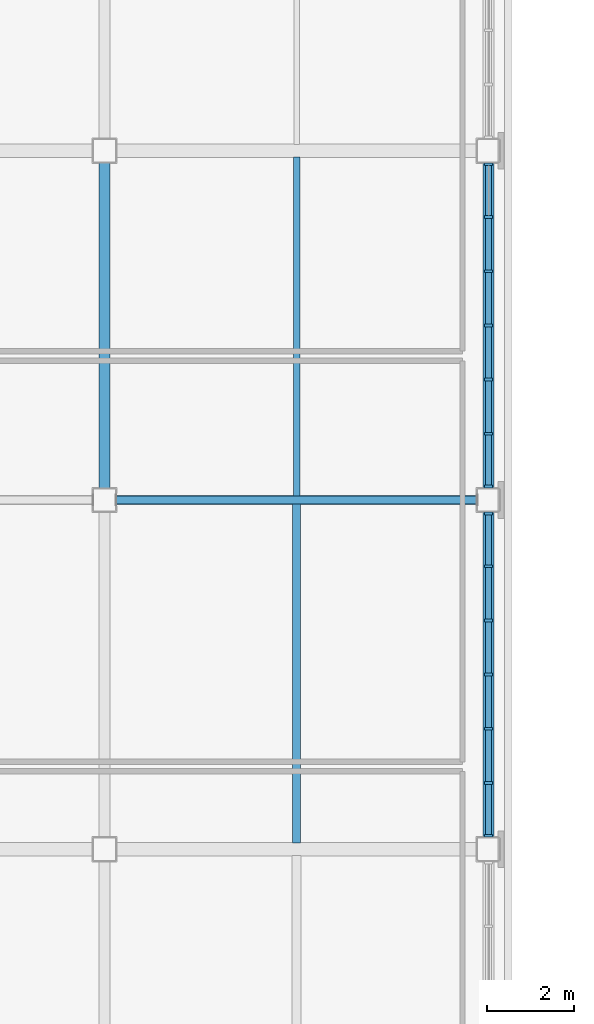
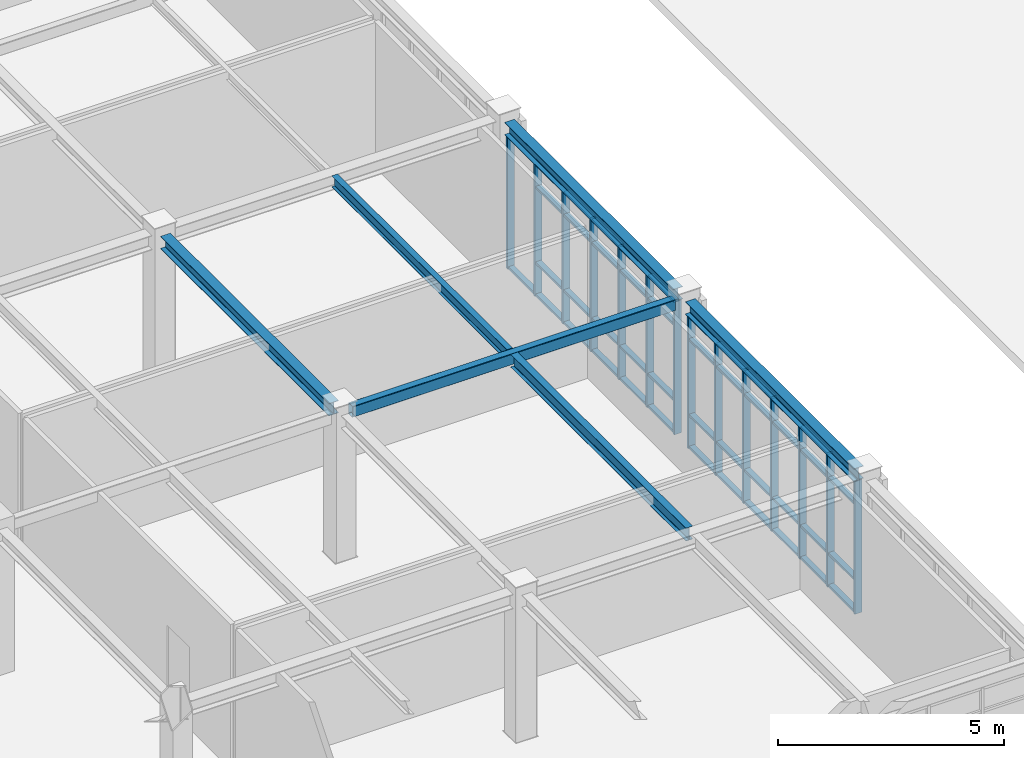
# One storey, part 22 of 88: 59 members, 6 beams, 2 elements without a shape of their own.
"""IFC4 building model written with IfcOpenShell, lengths in metres."""

from ifc_helpers import new_model, si_unit, direction, frame, origin, origin_2d, place, context, subcontext, project, spatial, rectangle, hollow_rectangle, i_section, extrude, material, material_profile, profile_set, type_object, element, aggregate, save


model = new_model("IFC4")

# Units and contexts
model_context = context("Model", 3, precision=1e-05, world=origin(), true_north=direction((0.0, 1.0)))
body_context = subcontext(model_context, "Body", "Model", "MODEL_VIEW")
ifc_project = project(units=[si_unit("LENGTHUNIT", "METRE"), si_unit("AREAUNIT", "SQUARE_METRE"), si_unit("VOLUMEUNIT", "CUBIC_METRE"), si_unit("PLANEANGLEUNIT", "RADIAN"), si_unit("MASSUNIT", "GRAM", prefix="KILO")], contexts=[model_context])

# Site, building, storey
site_placement = place(None, origin())
site = spatial("IfcSite", under=ifc_project, at=site_placement, CompositionType="ELEMENT")
building_placement = place(site_placement, origin())
building = spatial("IfcBuilding", under=site, at=building_placement, Name="Zhaolan Boulevard Law Courts", CompositionType="ELEMENT")
storey_placement = place(building_placement, frame((0.0, 0.0, 16.199951171875)))
storey = spatial("IfcBuildingStorey", under=building, at=storey_placement, Name="L03", CompositionType="ELEMENT", Elevation=16.199951171875)

# Curtain wall, members
ifc_material_1 = material(Name="Thermally broken aluminium and low-E glazing", Category="aluminium")
curtain_wall_type_1 = type_object("IfcCurtainWallType", Name="CURTAIN WALL M12", PredefinedType="USERDEFINED", material=ifc_material_1)
curtain_wall_1_placement = place(storey_placement, origin())
curtain_wall_1 = element("IfcCurtainWall", 1, at=curtain_wall_1_placement, inside=storey, type_object=curtain_wall_type_1, Name="Curtain Wall CW-L03-180", ObjectType="CURTAIN WALL", PredefinedType="USERDEFINED")
ifc_material_2 = material(Name="Fluorocarbon-coated aluminium 6063-T6", Category="aluminium")
ifc_material_profile_1 = material_profile(ifc_material_2, rectangle(XDim=0.179931640625, YDim=0.06494140625, at=origin_2d()), Name="AL65x180")
ifc_profile_set_1 = profile_set([ifc_material_profile_1], Name="Fluorocarbon-coated aluminium 6063-T6")
member_type_1 = type_object("IfcMemberType", Name="CWMULLION 65X180", PredefinedType="MULLION", material=ifc_profile_set_1)
member_1_placement = place(storey_placement, frame((44.0, 38.3095703125, 0.0), z_axis=(0.0, 0.0, 1.0), x_axis=(-1.0, 0.0, 0.0)))
member_1 = element("IfcMember", 2, at=member_1_placement, type_object=member_type_1, Name="CW-L03-180 mullion 1", PredefinedType="MULLION", context=body_context, shape_type="SweptSolid", body=[
    extrude(rectangle(XDim=0.179931640625, YDim=0.06494140625, at=origin_2d()), origin(), (0.0, 0.0, 1.0), 3.593017578125),
])
member_2_placement = place(storey_placement, frame((44.0, 39.51806640625, 0.0), z_axis=(0.0, 0.0, 1.0), x_axis=(-1.0, 0.0, 0.0)))
member_2 = element("IfcMember", 3, at=member_2_placement, type_object=member_type_1, Name="CW-L03-180 mullion 2", PredefinedType="MULLION", context=body_context, shape_type="SweptSolid", body=[
    extrude(rectangle(XDim=0.179931640625, YDim=0.06494140625, at=origin_2d()), origin(), (0.0, 0.0, 1.0), 3.593017578125),
])
member_3_placement = place(storey_placement, frame((44.0, 40.759033203125, 0.0), z_axis=(0.0, 0.0, 1.0), x_axis=(-1.0, 0.0, 0.0)))
member_3 = element("IfcMember", 4, at=member_3_placement, type_object=member_type_1, Name="CW-L03-180 mullion 3", PredefinedType="MULLION", context=body_context, shape_type="SweptSolid", body=[
    extrude(rectangle(XDim=0.179931640625, YDim=0.06494140625, at=origin_2d()), origin(), (0.0, 0.0, 1.0), 3.593017578125),
])
member_4_placement = place(storey_placement, frame((44.0, 42.0, 0.0), z_axis=(0.0, 0.0, 1.0), x_axis=(-1.0, 0.0, 0.0)))
member_4 = element("IfcMember", 5, at=member_4_placement, type_object=member_type_1, Name="CW-L03-180 mullion 4", PredefinedType="MULLION", context=body_context, shape_type="SweptSolid", body=[
    extrude(rectangle(XDim=0.179931640625, YDim=0.06494140625, at=origin_2d()), origin(), (0.0, 0.0, 1.0), 3.593017578125),
])
member_5_placement = place(storey_placement, frame((44.0, 43.240966796875, 0.0), z_axis=(0.0, 0.0, 1.0), x_axis=(-1.0, 0.0, 0.0)))
member_5 = element("IfcMember", 6, at=member_5_placement, type_object=member_type_1, Name="CW-L03-180 mullion 5", PredefinedType="MULLION", context=body_context, shape_type="SweptSolid", body=[
    extrude(rectangle(XDim=0.179931640625, YDim=0.06494140625, at=origin_2d()), origin(), (0.0, 0.0, 1.0), 3.593017578125),
])
member_6_placement = place(storey_placement, frame((44.0, 44.48193359375, 0.0), z_axis=(0.0, 0.0, 1.0), x_axis=(-1.0, 0.0, 0.0)))
member_6 = element("IfcMember", 7, at=member_6_placement, type_object=member_type_1, Name="CW-L03-180 mullion 6", PredefinedType="MULLION", context=body_context, shape_type="SweptSolid", body=[
    extrude(rectangle(XDim=0.179931640625, YDim=0.06494140625, at=origin_2d()), origin(), (0.0, 0.0, 1.0), 3.593017578125),
])
member_7_placement = place(storey_placement, frame((44.0, 45.6904296875, 0.0), z_axis=(0.0, 0.0, 1.0), x_axis=(-1.0, 0.0, 0.0)))
member_7 = element("IfcMember", 8, at=member_7_placement, type_object=member_type_1, Name="CW-L03-180 mullion 7", PredefinedType="MULLION", context=body_context, shape_type="SweptSolid", body=[
    extrude(rectangle(XDim=0.179931640625, YDim=0.06494140625, at=origin_2d()), origin(), (0.0, 0.0, 1.0), 3.593017578125),
])

ifc_material_3 = material(Name="Thermally broken aluminium and low-E glazing", Category="aluminium")
curtain_wall_type_2 = type_object("IfcCurtainWallType", Name="CURTAIN WALL M13", PredefinedType="USERDEFINED", material=ifc_material_3)
curtain_wall_2_placement = place(storey_placement, origin())
curtain_wall_2 = element("IfcCurtainWall", 9, at=curtain_wall_2_placement, inside=storey, type_object=curtain_wall_type_2, Name="Curtain Wall CW-L03-181", ObjectType="CURTAIN WALL", PredefinedType="USERDEFINED")
member_8_placement = place(storey_placement, frame((44.0, 46.3095703125, 0.0), z_axis=(0.0, 0.0, 1.0), x_axis=(-1.0, 0.0, 0.0)))
member_8 = element("IfcMember", 10, at=member_8_placement, type_object=member_type_1, Name="CW-L03-181 mullion 1", PredefinedType="MULLION", context=body_context, shape_type="SweptSolid", body=[
    extrude(rectangle(XDim=0.179931640625, YDim=0.06494140625, at=origin_2d()), origin(), (0.0, 0.0, 1.0), 3.593017578125),
])
member_9_placement = place(storey_placement, frame((44.0, 47.51806640625, 0.0), z_axis=(0.0, 0.0, 1.0), x_axis=(-1.0, 0.0, 0.0)))
member_9 = element("IfcMember", 11, at=member_9_placement, type_object=member_type_1, Name="CW-L03-181 mullion 2", PredefinedType="MULLION", context=body_context, shape_type="SweptSolid", body=[
    extrude(rectangle(XDim=0.179931640625, YDim=0.06494140625, at=origin_2d()), origin(), (0.0, 0.0, 1.0), 3.593017578125),
])
member_10_placement = place(storey_placement, frame((44.0, 48.759033203125, 0.0), z_axis=(0.0, 0.0, 1.0), x_axis=(-1.0, 0.0, 0.0)))
member_10 = element("IfcMember", 12, at=member_10_placement, type_object=member_type_1, Name="CW-L03-181 mullion 3", PredefinedType="MULLION", context=body_context, shape_type="SweptSolid", body=[
    extrude(rectangle(XDim=0.179931640625, YDim=0.06494140625, at=origin_2d()), origin(), (0.0, 0.0, 1.0), 3.593017578125),
])
member_11_placement = place(storey_placement, frame((44.0, 50.0, 0.0), z_axis=(0.0, 0.0, 1.0), x_axis=(-1.0, 0.0, 0.0)))
member_11 = element("IfcMember", 13, at=member_11_placement, type_object=member_type_1, Name="CW-L03-181 mullion 4", PredefinedType="MULLION", context=body_context, shape_type="SweptSolid", body=[
    extrude(rectangle(XDim=0.179931640625, YDim=0.06494140625, at=origin_2d()), origin(), (0.0, 0.0, 1.0), 3.593017578125),
])
member_12_placement = place(storey_placement, frame((44.0, 51.240966796875, 0.0), z_axis=(0.0, 0.0, 1.0), x_axis=(-1.0, 0.0, 0.0)))
member_12 = element("IfcMember", 14, at=member_12_placement, type_object=member_type_1, Name="CW-L03-181 mullion 5", PredefinedType="MULLION", context=body_context, shape_type="SweptSolid", body=[
    extrude(rectangle(XDim=0.179931640625, YDim=0.06494140625, at=origin_2d()), origin(), (0.0, 0.0, 1.0), 3.593017578125),
])
member_13_placement = place(storey_placement, frame((44.0, 52.48193359375, 0.0), z_axis=(0.0, 0.0, 1.0), x_axis=(-1.0, 0.0, 0.0)))
member_13 = element("IfcMember", 15, at=member_13_placement, type_object=member_type_1, Name="CW-L03-181 mullion 6", PredefinedType="MULLION", context=body_context, shape_type="SweptSolid", body=[
    extrude(rectangle(XDim=0.179931640625, YDim=0.06494140625, at=origin_2d()), origin(), (0.0, 0.0, 1.0), 3.593017578125),
])
member_14_placement = place(storey_placement, frame((44.0, 53.6904296875, 0.0), z_axis=(0.0, 0.0, 1.0), x_axis=(-1.0, 0.0, 0.0)))
member_14 = element("IfcMember", 16, at=member_14_placement, type_object=member_type_1, Name="CW-L03-181 mullion 7", PredefinedType="MULLION", context=body_context, shape_type="SweptSolid", body=[
    extrude(rectangle(XDim=0.179931640625, YDim=0.06494140625, at=origin_2d()), origin(), (0.0, 0.0, 1.0), 3.593017578125),
])

# Member
ifc_material_4 = material(Name="Fluorocarbon-coated aluminium 6063-T6", Category="aluminium")
ifc_material_profile_2 = material_profile(ifc_material_4, rectangle(XDim=0.139892578125, YDim=0.06494140625, at=origin_2d()), Name="AL65x140")
ifc_profile_set_2 = profile_set([ifc_material_profile_2], Name="Fluorocarbon-coated aluminium 6063-T6")
member_type_2 = type_object("IfcMemberType", Name="CWTRANSOM 65X140", PredefinedType="USERDEFINED", material=ifc_profile_set_2)
member_15_placement = place(storey_placement, frame((44.0, 38.342041015625, 0.032470703125), z_axis=(0.0, 1.0, 0.0), x_axis=(-1.0, 0.0, 0.0)))
member_15 = element("IfcMember", 17, at=member_15_placement, type_object=member_type_2, Name="CW-L03-180 transom 1.1", ObjectType="TRANSOM", PredefinedType="USERDEFINED", context=body_context, shape_type="SweptSolid", body=[
    extrude(rectangle(XDim=0.139892578125, YDim=0.06494140625, at=origin_2d()), origin(), (0.0, 0.0, 1.0), 1.1435546875),
])

member_16_placement = place(storey_placement, frame((44.0, 38.342041015625, 0.900146484375), z_axis=(0.0, 1.0, 0.0), x_axis=(-1.0, 0.0, 0.0)))
member_16 = element("IfcMember", 18, at=member_16_placement, type_object=member_type_2, Name="CW-L03-180 transom 1.2", ObjectType="TRANSOM", PredefinedType="USERDEFINED", context=body_context, shape_type="SweptSolid", body=[
    extrude(rectangle(XDim=0.139892578125, YDim=0.06494140625, at=origin_2d()), origin(), (0.0, 0.0, 1.0), 1.1435546875),
])

member_17_placement = place(storey_placement, frame((44.0, 38.342041015625, 2.943115234375), z_axis=(0.0, 1.0, 0.0), x_axis=(-1.0, 0.0, 0.0)))
member_17 = element("IfcMember", 19, at=member_17_placement, type_object=member_type_2, Name="CW-L03-180 transom 1.3", ObjectType="TRANSOM", PredefinedType="USERDEFINED", context=body_context, shape_type="SweptSolid", body=[
    extrude(rectangle(XDim=0.139892578125, YDim=0.06494140625, at=origin_2d()), origin(), (0.0, 0.0, 1.0), 1.1435546875),
])

member_18_placement = place(storey_placement, frame((44.0, 38.342041015625, 3.560546875), z_axis=(0.0, 1.0, 0.0), x_axis=(-1.0, 0.0, 0.0)))
member_18 = element("IfcMember", 20, at=member_18_placement, type_object=member_type_2, Name="CW-L03-180 transom 1.4", ObjectType="TRANSOM", PredefinedType="USERDEFINED", context=body_context, shape_type="SweptSolid", body=[
    extrude(rectangle(XDim=0.139892578125, YDim=0.06494140625, at=origin_2d()), origin(), (0.0, 0.0, 1.0), 1.1435546875),
])

member_19_placement = place(storey_placement, frame((44.0, 39.550537109375, 0.032470703125), z_axis=(0.0, 1.0, 0.0), x_axis=(-1.0, 0.0, 0.0)))
member_19 = element("IfcMember", 21, at=member_19_placement, type_object=member_type_2, Name="CW-L03-180 transom 2.1", ObjectType="TRANSOM", PredefinedType="USERDEFINED", context=body_context, shape_type="SweptSolid", body=[
    extrude(rectangle(XDim=0.139892578125, YDim=0.06494140625, at=origin_2d()), origin(), (0.0, 0.0, 1.0), 1.176025390625),
])

member_20_placement = place(storey_placement, frame((44.0, 39.550537109375, 0.900146484375), z_axis=(0.0, 1.0, 0.0), x_axis=(-1.0, 0.0, 0.0)))
member_20 = element("IfcMember", 22, at=member_20_placement, type_object=member_type_2, Name="CW-L03-180 transom 2.2", ObjectType="TRANSOM", PredefinedType="USERDEFINED", context=body_context, shape_type="SweptSolid", body=[
    extrude(rectangle(XDim=0.139892578125, YDim=0.06494140625, at=origin_2d()), origin(), (0.0, 0.0, 1.0), 1.176025390625),
])

member_21_placement = place(storey_placement, frame((44.0, 39.550537109375, 2.943115234375), z_axis=(0.0, 1.0, 0.0), x_axis=(-1.0, 0.0, 0.0)))
member_21 = element("IfcMember", 23, at=member_21_placement, type_object=member_type_2, Name="CW-L03-180 transom 2.3", ObjectType="TRANSOM", PredefinedType="USERDEFINED", context=body_context, shape_type="SweptSolid", body=[
    extrude(rectangle(XDim=0.139892578125, YDim=0.06494140625, at=origin_2d()), origin(), (0.0, 0.0, 1.0), 1.176025390625),
])

member_22_placement = place(storey_placement, frame((44.0, 39.550537109375, 3.560546875), z_axis=(0.0, 1.0, 0.0), x_axis=(-1.0, 0.0, 0.0)))
member_22 = element("IfcMember", 24, at=member_22_placement, type_object=member_type_2, Name="CW-L03-180 transom 2.4", ObjectType="TRANSOM", PredefinedType="USERDEFINED", context=body_context, shape_type="SweptSolid", body=[
    extrude(rectangle(XDim=0.139892578125, YDim=0.06494140625, at=origin_2d()), origin(), (0.0, 0.0, 1.0), 1.176025390625),
])

member_23_placement = place(storey_placement, frame((44.0, 40.79150390625, 0.032470703125), z_axis=(0.0, 1.0, 0.0), x_axis=(-1.0, 0.0, 0.0)))
member_23 = element("IfcMember", 25, at=member_23_placement, type_object=member_type_2, Name="CW-L03-180 transom 3.1", ObjectType="TRANSOM", PredefinedType="USERDEFINED", context=body_context, shape_type="SweptSolid", body=[
    extrude(rectangle(XDim=0.139892578125, YDim=0.06494140625, at=origin_2d()), origin(), (0.0, 0.0, 1.0), 1.176025390625),
])

member_24_placement = place(storey_placement, frame((44.0, 40.79150390625, 0.900146484375), z_axis=(0.0, 1.0, 0.0), x_axis=(-1.0, 0.0, 0.0)))
member_24 = element("IfcMember", 26, at=member_24_placement, type_object=member_type_2, Name="CW-L03-180 transom 3.2", ObjectType="TRANSOM", PredefinedType="USERDEFINED", context=body_context, shape_type="SweptSolid", body=[
    extrude(rectangle(XDim=0.139892578125, YDim=0.06494140625, at=origin_2d()), origin(), (0.0, 0.0, 1.0), 1.176025390625),
])

member_25_placement = place(storey_placement, frame((44.0, 40.79150390625, 2.943115234375), z_axis=(0.0, 1.0, 0.0), x_axis=(-1.0, 0.0, 0.0)))
member_25 = element("IfcMember", 27, at=member_25_placement, type_object=member_type_2, Name="CW-L03-180 transom 3.3", ObjectType="TRANSOM", PredefinedType="USERDEFINED", context=body_context, shape_type="SweptSolid", body=[
    extrude(rectangle(XDim=0.139892578125, YDim=0.06494140625, at=origin_2d()), origin(), (0.0, 0.0, 1.0), 1.176025390625),
])

member_26_placement = place(storey_placement, frame((44.0, 40.79150390625, 3.560546875), z_axis=(0.0, 1.0, 0.0), x_axis=(-1.0, 0.0, 0.0)))
member_26 = element("IfcMember", 28, at=member_26_placement, type_object=member_type_2, Name="CW-L03-180 transom 3.4", ObjectType="TRANSOM", PredefinedType="USERDEFINED", context=body_context, shape_type="SweptSolid", body=[
    extrude(rectangle(XDim=0.139892578125, YDim=0.06494140625, at=origin_2d()), origin(), (0.0, 0.0, 1.0), 1.176025390625),
])

member_27_placement = place(storey_placement, frame((44.0, 42.032470703125, 0.032470703125), z_axis=(0.0, 1.0, 0.0), x_axis=(-1.0, 0.0, 0.0)))
member_27 = element("IfcMember", 29, at=member_27_placement, type_object=member_type_2, Name="CW-L03-180 transom 4.1", ObjectType="TRANSOM", PredefinedType="USERDEFINED", context=body_context, shape_type="SweptSolid", body=[
    extrude(rectangle(XDim=0.139892578125, YDim=0.06494140625, at=origin_2d()), origin(), (0.0, 0.0, 1.0), 1.176025390625),
])

member_28_placement = place(storey_placement, frame((44.0, 42.032470703125, 0.900146484375), z_axis=(0.0, 1.0, 0.0), x_axis=(-1.0, 0.0, 0.0)))
member_28 = element("IfcMember", 30, at=member_28_placement, type_object=member_type_2, Name="CW-L03-180 transom 4.2", ObjectType="TRANSOM", PredefinedType="USERDEFINED", context=body_context, shape_type="SweptSolid", body=[
    extrude(rectangle(XDim=0.139892578125, YDim=0.06494140625, at=origin_2d()), origin(), (0.0, 0.0, 1.0), 1.176025390625),
])

member_29_placement = place(storey_placement, frame((44.0, 42.032470703125, 2.943115234375), z_axis=(0.0, 1.0, 0.0), x_axis=(-1.0, 0.0, 0.0)))
member_29 = element("IfcMember", 31, at=member_29_placement, type_object=member_type_2, Name="CW-L03-180 transom 4.3", ObjectType="TRANSOM", PredefinedType="USERDEFINED", context=body_context, shape_type="SweptSolid", body=[
    extrude(rectangle(XDim=0.139892578125, YDim=0.06494140625, at=origin_2d()), origin(), (0.0, 0.0, 1.0), 1.176025390625),
])

member_30_placement = place(storey_placement, frame((44.0, 42.032470703125, 3.560546875), z_axis=(0.0, 1.0, 0.0), x_axis=(-1.0, 0.0, 0.0)))
member_30 = element("IfcMember", 32, at=member_30_placement, type_object=member_type_2, Name="CW-L03-180 transom 4.4", ObjectType="TRANSOM", PredefinedType="USERDEFINED", context=body_context, shape_type="SweptSolid", body=[
    extrude(rectangle(XDim=0.139892578125, YDim=0.06494140625, at=origin_2d()), origin(), (0.0, 0.0, 1.0), 1.176025390625),
])

member_31_placement = place(storey_placement, frame((44.0, 43.2734375, 0.032470703125), z_axis=(0.0, 1.0, 0.0), x_axis=(-1.0, 0.0, 0.0)))
member_31 = element("IfcMember", 33, at=member_31_placement, type_object=member_type_2, Name="CW-L03-180 transom 5.1", ObjectType="TRANSOM", PredefinedType="USERDEFINED", context=body_context, shape_type="SweptSolid", body=[
    extrude(rectangle(XDim=0.139892578125, YDim=0.06494140625, at=origin_2d()), origin(), (0.0, 0.0, 1.0), 1.176025390625),
])

member_32_placement = place(storey_placement, frame((44.0, 43.2734375, 0.900146484375), z_axis=(0.0, 1.0, 0.0), x_axis=(-1.0, 0.0, 0.0)))
member_32 = element("IfcMember", 34, at=member_32_placement, type_object=member_type_2, Name="CW-L03-180 transom 5.2", ObjectType="TRANSOM", PredefinedType="USERDEFINED", context=body_context, shape_type="SweptSolid", body=[
    extrude(rectangle(XDim=0.139892578125, YDim=0.06494140625, at=origin_2d()), origin(), (0.0, 0.0, 1.0), 1.176025390625),
])

member_33_placement = place(storey_placement, frame((44.0, 43.2734375, 2.943115234375), z_axis=(0.0, 1.0, 0.0), x_axis=(-1.0, 0.0, 0.0)))
member_33 = element("IfcMember", 35, at=member_33_placement, type_object=member_type_2, Name="CW-L03-180 transom 5.3", ObjectType="TRANSOM", PredefinedType="USERDEFINED", context=body_context, shape_type="SweptSolid", body=[
    extrude(rectangle(XDim=0.139892578125, YDim=0.06494140625, at=origin_2d()), origin(), (0.0, 0.0, 1.0), 1.176025390625),
])

member_34_placement = place(storey_placement, frame((44.0, 43.2734375, 3.560546875), z_axis=(0.0, 1.0, 0.0), x_axis=(-1.0, 0.0, 0.0)))
member_34 = element("IfcMember", 36, at=member_34_placement, type_object=member_type_2, Name="CW-L03-180 transom 5.4", ObjectType="TRANSOM", PredefinedType="USERDEFINED", context=body_context, shape_type="SweptSolid", body=[
    extrude(rectangle(XDim=0.139892578125, YDim=0.06494140625, at=origin_2d()), origin(), (0.0, 0.0, 1.0), 1.176025390625),
])

member_35_placement = place(storey_placement, frame((44.0, 44.514404296875, 0.032470703125), z_axis=(0.0, 1.0, 0.0), x_axis=(-1.0, 0.0, 0.0)))
member_35 = element("IfcMember", 37, at=member_35_placement, type_object=member_type_2, Name="CW-L03-180 transom 6.1", ObjectType="TRANSOM", PredefinedType="USERDEFINED", context=body_context, shape_type="SweptSolid", body=[
    extrude(rectangle(XDim=0.139892578125, YDim=0.06494140625, at=origin_2d()), origin(), (0.0, 0.0, 1.0), 1.1435546875),
])

member_36_placement = place(storey_placement, frame((44.0, 44.514404296875, 0.900146484375), z_axis=(0.0, 1.0, 0.0), x_axis=(-1.0, 0.0, 0.0)))
member_36 = element("IfcMember", 38, at=member_36_placement, type_object=member_type_2, Name="CW-L03-180 transom 6.2", ObjectType="TRANSOM", PredefinedType="USERDEFINED", context=body_context, shape_type="SweptSolid", body=[
    extrude(rectangle(XDim=0.139892578125, YDim=0.06494140625, at=origin_2d()), origin(), (0.0, 0.0, 1.0), 1.1435546875),
])

member_37_placement = place(storey_placement, frame((44.0, 44.514404296875, 2.943115234375), z_axis=(0.0, 1.0, 0.0), x_axis=(-1.0, 0.0, 0.0)))
member_37 = element("IfcMember", 39, at=member_37_placement, type_object=member_type_2, Name="CW-L03-180 transom 6.3", ObjectType="TRANSOM", PredefinedType="USERDEFINED", context=body_context, shape_type="SweptSolid", body=[
    extrude(rectangle(XDim=0.139892578125, YDim=0.06494140625, at=origin_2d()), origin(), (0.0, 0.0, 1.0), 1.1435546875),
])

member_38_placement = place(storey_placement, frame((44.0, 44.514404296875, 3.560546875), z_axis=(0.0, 1.0, 0.0), x_axis=(-1.0, 0.0, 0.0)))
member_38 = element("IfcMember", 40, at=member_38_placement, type_object=member_type_2, Name="CW-L03-180 transom 6.4", ObjectType="TRANSOM", PredefinedType="USERDEFINED", context=body_context, shape_type="SweptSolid", body=[
    extrude(rectangle(XDim=0.139892578125, YDim=0.06494140625, at=origin_2d()), origin(), (0.0, 0.0, 1.0), 1.1435546875),
])

aggregate(curtain_wall_1, [member_1, member_2, member_3, member_4, member_5, member_6, member_7, member_15, member_16, member_17, member_18, member_19, member_20, member_21, member_22, member_23, member_24, member_25, member_26, member_27, member_28, member_29, member_30, member_31, member_32, member_33, member_34, member_35, member_36, member_37, member_38])

member_39_placement = place(storey_placement, frame((44.0, 46.342041015625, 0.032470703125), z_axis=(0.0, 1.0, 0.0), x_axis=(-1.0, 0.0, 0.0)))
member_39 = element("IfcMember", 41, at=member_39_placement, type_object=member_type_2, Name="CW-L03-181 transom 1.1", ObjectType="TRANSOM", PredefinedType="USERDEFINED", context=body_context, shape_type="SweptSolid", body=[
    extrude(rectangle(XDim=0.139892578125, YDim=0.06494140625, at=origin_2d()), origin(), (0.0, 0.0, 1.0), 1.1435546875),
])

member_40_placement = place(storey_placement, frame((44.0, 46.342041015625, 0.900146484375), z_axis=(0.0, 1.0, 0.0), x_axis=(-1.0, 0.0, 0.0)))
member_40 = element("IfcMember", 42, at=member_40_placement, type_object=member_type_2, Name="CW-L03-181 transom 1.2", ObjectType="TRANSOM", PredefinedType="USERDEFINED", context=body_context, shape_type="SweptSolid", body=[
    extrude(rectangle(XDim=0.139892578125, YDim=0.06494140625, at=origin_2d()), origin(), (0.0, 0.0, 1.0), 1.1435546875),
])

member_41_placement = place(storey_placement, frame((44.0, 46.342041015625, 2.943115234375), z_axis=(0.0, 1.0, 0.0), x_axis=(-1.0, 0.0, 0.0)))
member_41 = element("IfcMember", 43, at=member_41_placement, type_object=member_type_2, Name="CW-L03-181 transom 1.3", ObjectType="TRANSOM", PredefinedType="USERDEFINED", context=body_context, shape_type="SweptSolid", body=[
    extrude(rectangle(XDim=0.139892578125, YDim=0.06494140625, at=origin_2d()), origin(), (0.0, 0.0, 1.0), 1.1435546875),
])

member_42_placement = place(storey_placement, frame((44.0, 46.342041015625, 3.560546875), z_axis=(0.0, 1.0, 0.0), x_axis=(-1.0, 0.0, 0.0)))
member_42 = element("IfcMember", 44, at=member_42_placement, type_object=member_type_2, Name="CW-L03-181 transom 1.4", ObjectType="TRANSOM", PredefinedType="USERDEFINED", context=body_context, shape_type="SweptSolid", body=[
    extrude(rectangle(XDim=0.139892578125, YDim=0.06494140625, at=origin_2d()), origin(), (0.0, 0.0, 1.0), 1.1435546875),
])

member_43_placement = place(storey_placement, frame((44.0, 47.550537109375, 0.032470703125), z_axis=(0.0, 1.0, 0.0), x_axis=(-1.0, 0.0, 0.0)))
member_43 = element("IfcMember", 45, at=member_43_placement, type_object=member_type_2, Name="CW-L03-181 transom 2.1", ObjectType="TRANSOM", PredefinedType="USERDEFINED", context=body_context, shape_type="SweptSolid", body=[
    extrude(rectangle(XDim=0.139892578125, YDim=0.06494140625, at=origin_2d()), origin(), (0.0, 0.0, 1.0), 1.176025390625),
])

member_44_placement = place(storey_placement, frame((44.0, 47.550537109375, 0.900146484375), z_axis=(0.0, 1.0, 0.0), x_axis=(-1.0, 0.0, 0.0)))
member_44 = element("IfcMember", 46, at=member_44_placement, type_object=member_type_2, Name="CW-L03-181 transom 2.2", ObjectType="TRANSOM", PredefinedType="USERDEFINED", context=body_context, shape_type="SweptSolid", body=[
    extrude(rectangle(XDim=0.139892578125, YDim=0.06494140625, at=origin_2d()), origin(), (0.0, 0.0, 1.0), 1.176025390625),
])

member_45_placement = place(storey_placement, frame((44.0, 47.550537109375, 2.943115234375), z_axis=(0.0, 1.0, 0.0), x_axis=(-1.0, 0.0, 0.0)))
member_45 = element("IfcMember", 47, at=member_45_placement, type_object=member_type_2, Name="CW-L03-181 transom 2.3", ObjectType="TRANSOM", PredefinedType="USERDEFINED", context=body_context, shape_type="SweptSolid", body=[
    extrude(rectangle(XDim=0.139892578125, YDim=0.06494140625, at=origin_2d()), origin(), (0.0, 0.0, 1.0), 1.176025390625),
])

member_46_placement = place(storey_placement, frame((44.0, 47.550537109375, 3.560546875), z_axis=(0.0, 1.0, 0.0), x_axis=(-1.0, 0.0, 0.0)))
member_46 = element("IfcMember", 48, at=member_46_placement, type_object=member_type_2, Name="CW-L03-181 transom 2.4", ObjectType="TRANSOM", PredefinedType="USERDEFINED", context=body_context, shape_type="SweptSolid", body=[
    extrude(rectangle(XDim=0.139892578125, YDim=0.06494140625, at=origin_2d()), origin(), (0.0, 0.0, 1.0), 1.176025390625),
])

member_47_placement = place(storey_placement, frame((44.0, 48.79150390625, 0.032470703125), z_axis=(0.0, 1.0, 0.0), x_axis=(-1.0, 0.0, 0.0)))
member_47 = element("IfcMember", 49, at=member_47_placement, type_object=member_type_2, Name="CW-L03-181 transom 3.1", ObjectType="TRANSOM", PredefinedType="USERDEFINED", context=body_context, shape_type="SweptSolid", body=[
    extrude(rectangle(XDim=0.139892578125, YDim=0.06494140625, at=origin_2d()), origin(), (0.0, 0.0, 1.0), 1.176025390625),
])

member_48_placement = place(storey_placement, frame((44.0, 48.79150390625, 0.900146484375), z_axis=(0.0, 1.0, 0.0), x_axis=(-1.0, 0.0, 0.0)))
member_48 = element("IfcMember", 50, at=member_48_placement, type_object=member_type_2, Name="CW-L03-181 transom 3.2", ObjectType="TRANSOM", PredefinedType="USERDEFINED", context=body_context, shape_type="SweptSolid", body=[
    extrude(rectangle(XDim=0.139892578125, YDim=0.06494140625, at=origin_2d()), origin(), (0.0, 0.0, 1.0), 1.176025390625),
])

member_49_placement = place(storey_placement, frame((44.0, 48.79150390625, 2.943115234375), z_axis=(0.0, 1.0, 0.0), x_axis=(-1.0, 0.0, 0.0)))
member_49 = element("IfcMember", 51, at=member_49_placement, type_object=member_type_2, Name="CW-L03-181 transom 3.3", ObjectType="TRANSOM", PredefinedType="USERDEFINED", context=body_context, shape_type="SweptSolid", body=[
    extrude(rectangle(XDim=0.139892578125, YDim=0.06494140625, at=origin_2d()), origin(), (0.0, 0.0, 1.0), 1.176025390625),
])

member_50_placement = place(storey_placement, frame((44.0, 48.79150390625, 3.560546875), z_axis=(0.0, 1.0, 0.0), x_axis=(-1.0, 0.0, 0.0)))
member_50 = element("IfcMember", 52, at=member_50_placement, type_object=member_type_2, Name="CW-L03-181 transom 3.4", ObjectType="TRANSOM", PredefinedType="USERDEFINED", context=body_context, shape_type="SweptSolid", body=[
    extrude(rectangle(XDim=0.139892578125, YDim=0.06494140625, at=origin_2d()), origin(), (0.0, 0.0, 1.0), 1.176025390625),
])

member_51_placement = place(storey_placement, frame((44.0, 50.032470703125, 0.032470703125), z_axis=(0.0, 1.0, 0.0), x_axis=(-1.0, 0.0, 0.0)))
member_51 = element("IfcMember", 53, at=member_51_placement, type_object=member_type_2, Name="CW-L03-181 transom 4.1", ObjectType="TRANSOM", PredefinedType="USERDEFINED", context=body_context, shape_type="SweptSolid", body=[
    extrude(rectangle(XDim=0.139892578125, YDim=0.06494140625, at=origin_2d()), origin(), (0.0, 0.0, 1.0), 1.176025390625),
])

member_52_placement = place(storey_placement, frame((44.0, 50.032470703125, 0.900146484375), z_axis=(0.0, 1.0, 0.0), x_axis=(-1.0, 0.0, 0.0)))
member_52 = element("IfcMember", 54, at=member_52_placement, type_object=member_type_2, Name="CW-L03-181 transom 4.2", ObjectType="TRANSOM", PredefinedType="USERDEFINED", context=body_context, shape_type="SweptSolid", body=[
    extrude(rectangle(XDim=0.139892578125, YDim=0.06494140625, at=origin_2d()), origin(), (0.0, 0.0, 1.0), 1.176025390625),
])

member_53_placement = place(storey_placement, frame((44.0, 50.032470703125, 2.943115234375), z_axis=(0.0, 1.0, 0.0), x_axis=(-1.0, 0.0, 0.0)))
member_53 = element("IfcMember", 55, at=member_53_placement, type_object=member_type_2, Name="CW-L03-181 transom 4.3", ObjectType="TRANSOM", PredefinedType="USERDEFINED", context=body_context, shape_type="SweptSolid", body=[
    extrude(rectangle(XDim=0.139892578125, YDim=0.06494140625, at=origin_2d()), origin(), (0.0, 0.0, 1.0), 1.176025390625),
])

member_54_placement = place(storey_placement, frame((44.0, 50.032470703125, 3.560546875), z_axis=(0.0, 1.0, 0.0), x_axis=(-1.0, 0.0, 0.0)))
member_54 = element("IfcMember", 56, at=member_54_placement, type_object=member_type_2, Name="CW-L03-181 transom 4.4", ObjectType="TRANSOM", PredefinedType="USERDEFINED", context=body_context, shape_type="SweptSolid", body=[
    extrude(rectangle(XDim=0.139892578125, YDim=0.06494140625, at=origin_2d()), origin(), (0.0, 0.0, 1.0), 1.176025390625),
])

member_55_placement = place(storey_placement, frame((44.0, 51.2734375, 0.032470703125), z_axis=(0.0, 1.0, 0.0), x_axis=(-1.0, 0.0, 0.0)))
member_55 = element("IfcMember", 57, at=member_55_placement, type_object=member_type_2, Name="CW-L03-181 transom 5.1", ObjectType="TRANSOM", PredefinedType="USERDEFINED", context=body_context, shape_type="SweptSolid", body=[
    extrude(rectangle(XDim=0.139892578125, YDim=0.06494140625, at=origin_2d()), origin(), (0.0, 0.0, 1.0), 1.176025390625),
])

member_56_placement = place(storey_placement, frame((44.0, 51.2734375, 0.900146484375), z_axis=(0.0, 1.0, 0.0), x_axis=(-1.0, 0.0, 0.0)))
member_56 = element("IfcMember", 58, at=member_56_placement, type_object=member_type_2, Name="CW-L03-181 transom 5.2", ObjectType="TRANSOM", PredefinedType="USERDEFINED", context=body_context, shape_type="SweptSolid", body=[
    extrude(rectangle(XDim=0.139892578125, YDim=0.06494140625, at=origin_2d()), origin(), (0.0, 0.0, 1.0), 1.176025390625),
])

member_57_placement = place(storey_placement, frame((44.0, 51.2734375, 2.943115234375), z_axis=(0.0, 1.0, 0.0), x_axis=(-1.0, 0.0, 0.0)))
member_57 = element("IfcMember", 59, at=member_57_placement, type_object=member_type_2, Name="CW-L03-181 transom 5.3", ObjectType="TRANSOM", PredefinedType="USERDEFINED", context=body_context, shape_type="SweptSolid", body=[
    extrude(rectangle(XDim=0.139892578125, YDim=0.06494140625, at=origin_2d()), origin(), (0.0, 0.0, 1.0), 1.176025390625),
])

member_58_placement = place(storey_placement, frame((44.0, 51.2734375, 3.560546875), z_axis=(0.0, 1.0, 0.0), x_axis=(-1.0, 0.0, 0.0)))
member_58 = element("IfcMember", 60, at=member_58_placement, type_object=member_type_2, Name="CW-L03-181 transom 5.4", ObjectType="TRANSOM", PredefinedType="USERDEFINED", context=body_context, shape_type="SweptSolid", body=[
    extrude(rectangle(XDim=0.139892578125, YDim=0.06494140625, at=origin_2d()), origin(), (0.0, 0.0, 1.0), 1.176025390625),
])

member_59_placement = place(storey_placement, frame((44.0, 52.514404296875, 0.032470703125), z_axis=(0.0, 1.0, 0.0), x_axis=(-1.0, 0.0, 0.0)))
member_59 = element("IfcMember", 61, at=member_59_placement, type_object=member_type_2, Name="CW-L03-181 transom 6.1", ObjectType="TRANSOM", PredefinedType="USERDEFINED", context=body_context, shape_type="SweptSolid", body=[
    extrude(rectangle(XDim=0.139892578125, YDim=0.06494140625, at=origin_2d()), origin(), (0.0, 0.0, 1.0), 1.1435546875),
])

aggregate(curtain_wall_2, [member_8, member_9, member_10, member_11, member_12, member_13, member_14, member_39, member_40, member_41, member_42, member_43, member_44, member_45, member_46, member_47, member_48, member_49, member_50, member_51, member_52, member_53, member_54, member_55, member_56, member_57, member_58, member_59])

# Beams
ifc_material_5 = material(Name="Structural steel Q355B", Category="steel")
ifc_material_profile_3 = material_profile(ifc_material_5, i_section(OverallWidth=0.25, OverallDepth=0.340087890625, WebThickness=0.009033203125, FlangeThickness=0.013916015625, FilletRadius=0.01611328125, at=origin_2d()), Name="HM340x250")
ifc_profile_set_3 = profile_set([ifc_material_profile_3], Name="Structural steel Q355B")
beam_type_1 = type_object("IfcBeamType", Name="GIRDER HM340", PredefinedType="BEAM", material=ifc_profile_set_3)
for number, where, z_axis, x_axis, name in (
    (62, (35.199951171875, 46.27099609375, 3.778076171875), (0.0, 1.0, 0.0), (-1.0, 0.0, 0.0), "Beam BY-L04-5-G-H"),
    (63, (44.0, 38.27099609375, 3.778076171875), (0.0, 1.0, 0.0), (-1.0, 0.0, 0.0), "Beam BY-L04-6-F-G"),
    (64, (44.0, 46.27099609375, 3.778076171875), (0.0, 1.0, 0.0), (-1.0, 0.0, 0.0), "Beam BY-L04-6-G-H"),
):
    element("IfcBeam", number, at=place(storey_placement, frame(where, z_axis=z_axis, x_axis=x_axis)), inside=storey, type_object=beam_type_1, Name=name, PredefinedType="BEAM", context=body_context, shape_type="SweptSolid", body=[
        extrude(i_section(OverallWidth=0.25, OverallDepth=0.340087890625, WebThickness=0.009033203125, FlangeThickness=0.013916015625, FilletRadius=0.01611328125, at=origin_2d()), origin(), (0.0, 0.0, 1.0), 7.4580078125),
    ])
ifc_material_6 = material(Name="Structural steel Q355B", Category="steel")
ifc_material_profile_4 = material_profile(ifc_material_6, i_section(OverallWidth=0.14990234375, OverallDepth=0.300048828125, WebThickness=0.006591796875, FlangeThickness=0.009033203125, FilletRadius=0.010986328125, at=origin_2d()), Name="HN300x150")
ifc_profile_set_4 = profile_set([ifc_material_profile_4], Name="Structural steel Q355B")
beam_type_2 = type_object("IfcBeamType", Name="JOIST HN300", PredefinedType="JOIST", material=ifc_profile_set_4)
beam_1_placement = place(storey_placement, frame((39.60009765625, 46.095947265625, 3.798095703125), z_axis=(0.0, 1.0, 0.0), x_axis=(-1.0, 0.0, 0.0)))
element("IfcBeam", 65, at=beam_1_placement, inside=storey, type_object=beam_type_2, Name="Composite Joist J-L04-5G", PredefinedType="JOIST", context=body_context, shape_type="SweptSolid", body=[
    extrude(i_section(OverallWidth=0.14990234375, OverallDepth=0.300048828125, WebThickness=0.006591796875, FlangeThickness=0.009033203125, FilletRadius=0.010986328125, at=origin_2d()), origin(), (0.0, 0.0, 1.0), 7.758056640625),
])
ifc_material_7 = material(Name="Structural steel Q355B", Category="steel")
ifc_material_profile_5 = material_profile(ifc_material_7, i_section(OverallWidth=0.175048828125, OverallDepth=0.35009765625, WebThickness=0.007080078125, FlangeThickness=0.010986328125, FilletRadius=0.012939453125, at=origin_2d()), Name="HN350x175")
ifc_profile_set_5 = profile_set([ifc_material_profile_5], Name="Structural steel Q355B")
beam_type_3 = type_object("IfcBeamType", Name="JOIST HN350", PredefinedType="JOIST", material=ifc_profile_set_5)
beam_2_placement = place(storey_placement, frame((39.60009765625, 38.14599609375, 3.77294921875), z_axis=(0.0, 1.0, 0.0), x_axis=(-1.0, 0.0, 0.0)))
element("IfcBeam", 66, at=beam_2_placement, inside=storey, type_object=beam_type_3, Name="Composite Joist J-L04-5F", PredefinedType="JOIST", context=body_context, shape_type="SweptSolid", body=[
    extrude(i_section(OverallWidth=0.175048828125, OverallDepth=0.35009765625, WebThickness=0.007080078125, FlangeThickness=0.010986328125, FilletRadius=0.012939453125, at=origin_2d()), origin(), (0.0, 0.0, 1.0), 7.758056640625),
])
ifc_material_8 = material(Name="Structural steel Q355B", Category="steel")
ifc_material_profile_6 = material_profile(ifc_material_8, hollow_rectangle(XDim=0.199951171875, YDim=0.300048828125, WallThickness=0.011962890625, InnerFilletRadius=0.011962890625, OuterFilletRadius=0.02392578125, at=origin_2d()), Name="HSS300x200x12")
ifc_profile_set_6 = profile_set([ifc_material_profile_6], Name="Structural steel Q355B")
beam_type_4 = type_object("IfcBeamType", Name="SPANDREL HSS300", PredefinedType="SPANDREL", material=ifc_profile_set_6)
beam_3_placement = place(storey_placement, frame((35.470947265625, 46.0, 3.798095703125), z_axis=(1.0, 0.0, 0.0), x_axis=(0.0, 1.0, 0.0)))
element("IfcBeam", 67, at=beam_3_placement, inside=storey, type_object=beam_type_4, Name="Beam BX-L04-5-6-G", PredefinedType="SPANDREL", context=body_context, shape_type="SweptSolid", body=[
    extrude(hollow_rectangle(XDim=0.199951171875, YDim=0.300048828125, WallThickness=0.011962890625, InnerFilletRadius=0.011962890625, OuterFilletRadius=0.02392578125, at=origin_2d()), origin(), (0.0, 0.0, 1.0), 8.258056640625),
])

save(model, "model.ifc")
